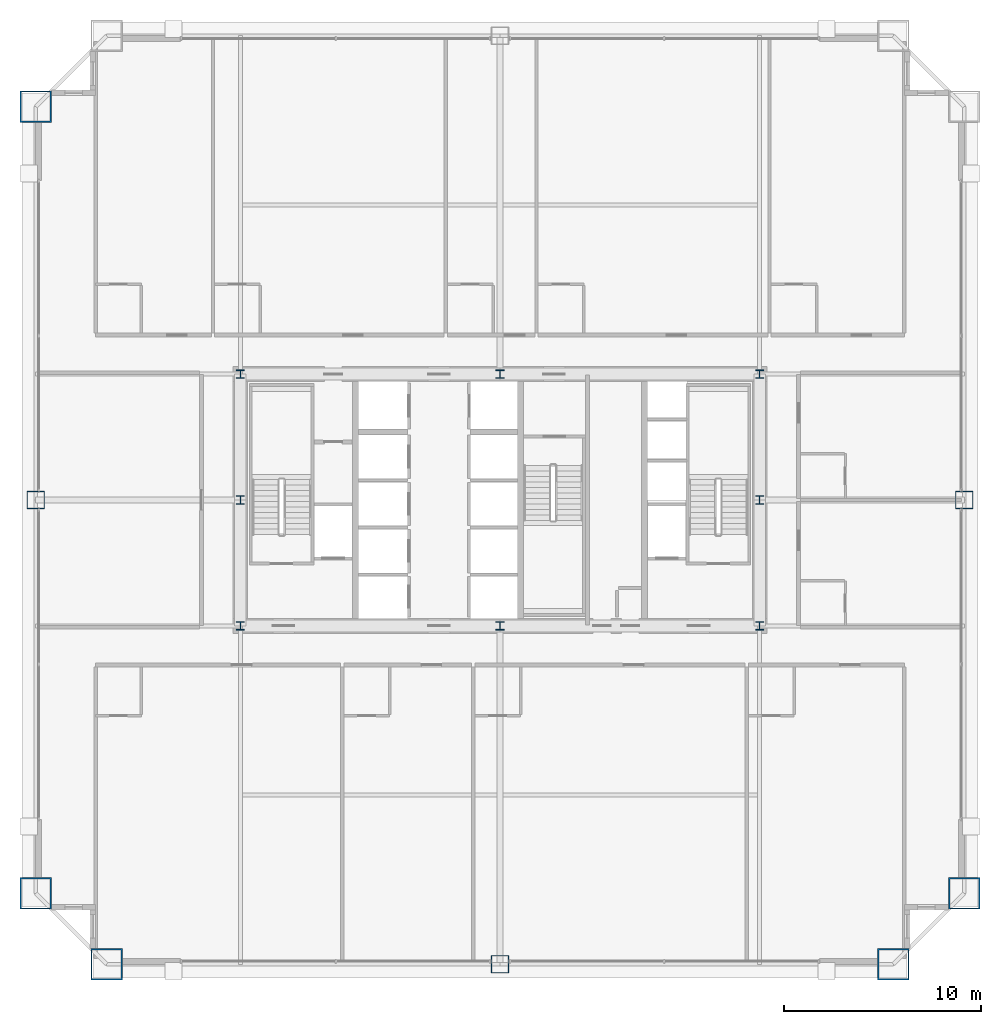
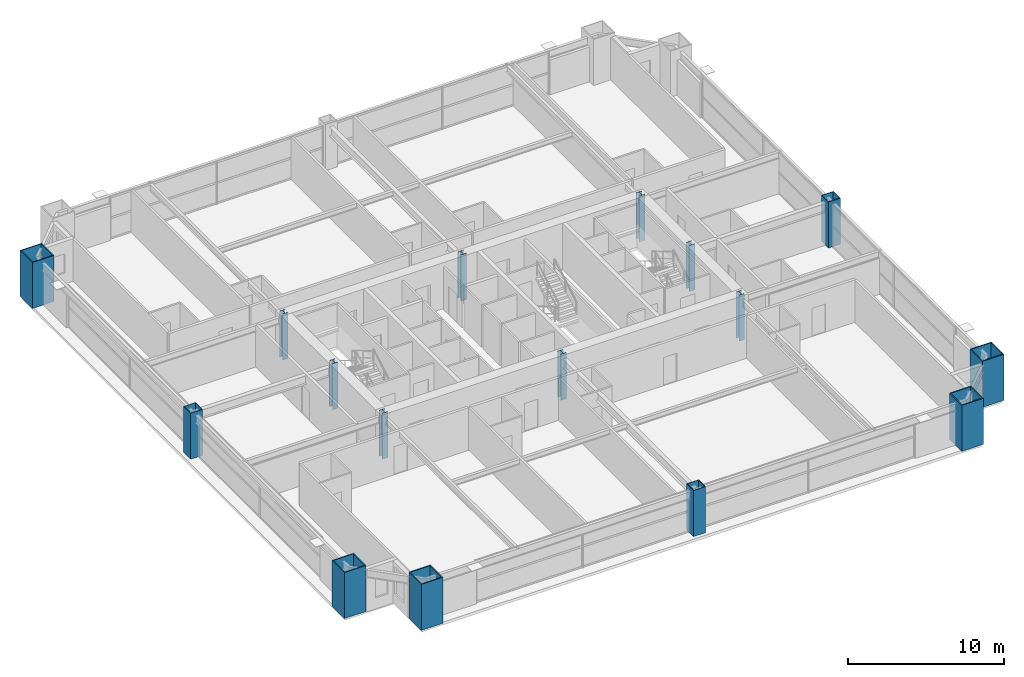
# One storey, part 1 of 38: 16 columns.
"""IFC4 building model written with IfcOpenShell, lengths in metres."""

from ifc_helpers import new_model, si_unit, direction, frame, origin, origin_2d, place, context, subcontext, project, spatial, hollow_rectangle, i_section, extrude, source, transform, mapped, material, material_profile, profile_set, type_object, element, save


model = new_model("IFC4")

# Units and contexts
model_context = context("Model", 3, precision=1e-05, world=origin(), true_north=direction((0.0, 1.0)))
body_context = subcontext(model_context, "Body", "Model", "MODEL_VIEW")
ifc_project = project(units=[si_unit("LENGTHUNIT", "METRE"), si_unit("AREAUNIT", "SQUARE_METRE"), si_unit("VOLUMEUNIT", "CUBIC_METRE"), si_unit("PLANEANGLEUNIT", "RADIAN"), si_unit("MASSUNIT", "GRAM", prefix="KILO"), si_unit("THERMODYNAMICTEMPERATUREUNIT", "KELVIN"), si_unit("POWERUNIT", "WATT")], contexts=[model_context])

# Site, building, storey
site_placement = place(None, origin())
site = spatial("IfcSite", under=ifc_project, at=site_placement, CompositionType="ELEMENT")
building_placement = place(site_placement, origin())
building = spatial("IfcBuilding", under=site, at=building_placement, Name="Yuzanri Waterfront Tower", CompositionType="ELEMENT")
storey_placement = place(building_placement, frame((0.0, 0.0, 126.199951171875)))
storey = spatial("IfcBuildingStorey", under=building, at=storey_placement, Name="L33", CompositionType="ELEMENT", Elevation=126.199951171875)

# Columns
ifc_material_1 = material(Name="Steel Q355B", Category="steel")
ifc_material_profile_1 = material_profile(ifc_material_1, i_section(OverallWidth=0.406982421875, OverallDepth=0.427978515625, WebThickness=0.02001953125, FlangeThickness=0.034912109375, at=origin_2d()), Name="HW 428x407x20x35")
ifc_profile_set_1 = profile_set([ifc_material_profile_1], Name="Steel Q355B")
column_type_1 = type_object("IfcColumnType", Name="Core Post Q355B HW 428x407x20x35", PredefinedType="COLUMN", material=ifc_profile_set_1)
shared_shape_1 = source(origin(), body_context, "Body", "SweptSolid", [
    extrude(i_section(OverallWidth=0.406982421875, OverallDepth=0.427978515625, WebThickness=0.02001953125, FlangeThickness=0.034912109375, at=origin_2d()), origin(), (0.0, 0.0, 1.0), 3.60009765625),
])
for number, where, z_axis, x_axis, name in (
    (1, (23.800048828125, 19.39990234375, 0.0), (0.0, 0.0, 1.0), (1.0, 0.0, 0.0), "L33 Core Boundary Column CP1"),
    (2, (37.0, 19.39990234375, 0.0), (0.0, 0.0, 1.0), (1.0, 0.0, 0.0), "L33 Core Boundary Column CP2"),
    (3, (50.199951171875, 19.39990234375, 0.0), (0.0, 0.0, 1.0), (1.0, 0.0, 0.0), "L33 Core Boundary Column CP3"),
    (4, (23.800048828125, 25.800048828125, 0.0), (0.0, 0.0, 1.0), (1.0, 0.0, 0.0), "L33 Core Boundary Column CP4"),
    (5, (50.199951171875, 25.800048828125, 0.0), (0.0, 0.0, 1.0), (1.0, 0.0, 0.0), "L33 Core Boundary Column CP5"),
    (6, (23.800048828125, 32.199951171875, 0.0), (0.0, 0.0, 1.0), (1.0, 0.0, 0.0), "L33 Core Boundary Column CP6"),
    (7, (37.0, 32.199951171875, 0.0), (0.0, 0.0, 1.0), (1.0, 0.0, 0.0), "L33 Core Boundary Column CP7"),
    (8, (50.199951171875, 32.199951171875, 0.0), (0.0, 0.0, 1.0), (1.0, 0.0, 0.0), "L33 Core Boundary Column CP8"),
):
    element("IfcColumn", number, at=place(storey_placement, frame(where, z_axis=z_axis, x_axis=x_axis)), inside=storey, type_object=column_type_1, Name=name, PredefinedType="COLUMN", context=body_context, shape_type="MappedRepresentation", body=[
        mapped(shared_shape_1, transform((0.0, 0.0, 0.0), scale=1.0)),
    ])
ifc_material_2 = material(Name="Steel Q390GJC", Category="steel")
ifc_material_profile_2 = material_profile(ifc_material_2, hollow_rectangle(XDim=0.89990234375, YDim=0.89990234375, WallThickness=0.0419921875, at=origin_2d()), Name="RHS 900x900x42")
ifc_profile_set_2 = profile_set([ifc_material_profile_2], Name="Steel Q390GJC")
column_type_2 = type_object("IfcColumnType", Name="Frame Column Q390GJC RHS 900x900x42", PredefinedType="COLUMN", material=ifc_profile_set_2)
shared_shape_2 = source(origin(), body_context, "Body", "SweptSolid", [
    extrude(hollow_rectangle(XDim=0.89990234375, YDim=0.89990234375, WallThickness=0.0419921875, at=origin_2d()), origin(), (0.0, 0.0, 1.0), 3.60009765625),
])
for number, where, z_axis, x_axis, name in (
    (9, (37.0, 2.199951171875, 0.0), (0.0, 0.0, 1.0), (1.0, 0.0, 0.0), "L33 Perimeter Frame Column S2"),
    (10, (13.39990234375, 25.800048828125, 0.0), (0.0, 0.0, 1.0), (1.0, 0.0, 0.0), "L33 Perimeter Frame Column W2"),
    (11, (60.60009765625, 25.800048828125, 0.0), (0.0, 0.0, 1.0), (1.0, 0.0, 0.0), "L33 Perimeter Frame Column E2"),
):
    element("IfcColumn", number, at=place(storey_placement, frame(where, z_axis=z_axis, x_axis=x_axis)), inside=storey, type_object=column_type_2, Name=name, PredefinedType="COLUMN", context=body_context, shape_type="MappedRepresentation", body=[
        mapped(shared_shape_2, transform((0.0, 0.0, 0.0), scale=1.0)),
    ])
ifc_material_3 = material(Name="Steel Q420GJC", Category="steel")
ifc_material_profile_3 = material_profile(ifc_material_3, hollow_rectangle(XDim=1.60009765625, YDim=1.60009765625, WallThickness=0.070068359375, at=origin_2d()), Name="RHS 1600x1600x70")
ifc_profile_set_3 = profile_set([ifc_material_profile_3], Name="Steel Q420GJC")
column_type_3 = type_object("IfcColumnType", Name="Mega Column Q420GJC RHS 1600x1600x70", PredefinedType="COLUMN", material=ifc_profile_set_3)
shared_shape_3 = source(origin(), body_context, "Body", "SweptSolid", [
    extrude(hollow_rectangle(XDim=1.60009765625, YDim=1.60009765625, WallThickness=0.070068359375, at=origin_2d()), origin(), (0.0, 0.0, 1.0), 3.60009765625),
])
for number, where, z_axis, x_axis, name in (
    (12, (17.0, 2.199951171875, 0.0), (0.0, 0.0, 1.0), (1.0, 0.0, 0.0), "L33 Perimeter Mega Column S1"),
    (13, (57.0, 2.199951171875, 0.0), (0.0, 0.0, 1.0), (1.0, 0.0, 0.0), "L33 Perimeter Mega Column S3"),
    (14, (13.39990234375, 5.800048828125, 0.0), (0.0, 0.0, 1.0), (1.0, 0.0, 0.0), "L33 Perimeter Mega Column W1"),
    (15, (13.39990234375, 45.800048828125, 0.0), (0.0, 0.0, 1.0), (1.0, 0.0, 0.0), "L33 Perimeter Mega Column W3"),
    (16, (60.60009765625, 5.800048828125, 0.0), (0.0, 0.0, 1.0), (1.0, 0.0, 0.0), "L33 Perimeter Mega Column E1"),
):
    element("IfcColumn", number, at=place(storey_placement, frame(where, z_axis=z_axis, x_axis=x_axis)), inside=storey, type_object=column_type_3, Name=name, PredefinedType="COLUMN", context=body_context, shape_type="MappedRepresentation", body=[
        mapped(shared_shape_3, transform((0.0, 0.0, 0.0), scale=1.0)),
    ])

save(model, "model.ifc")
